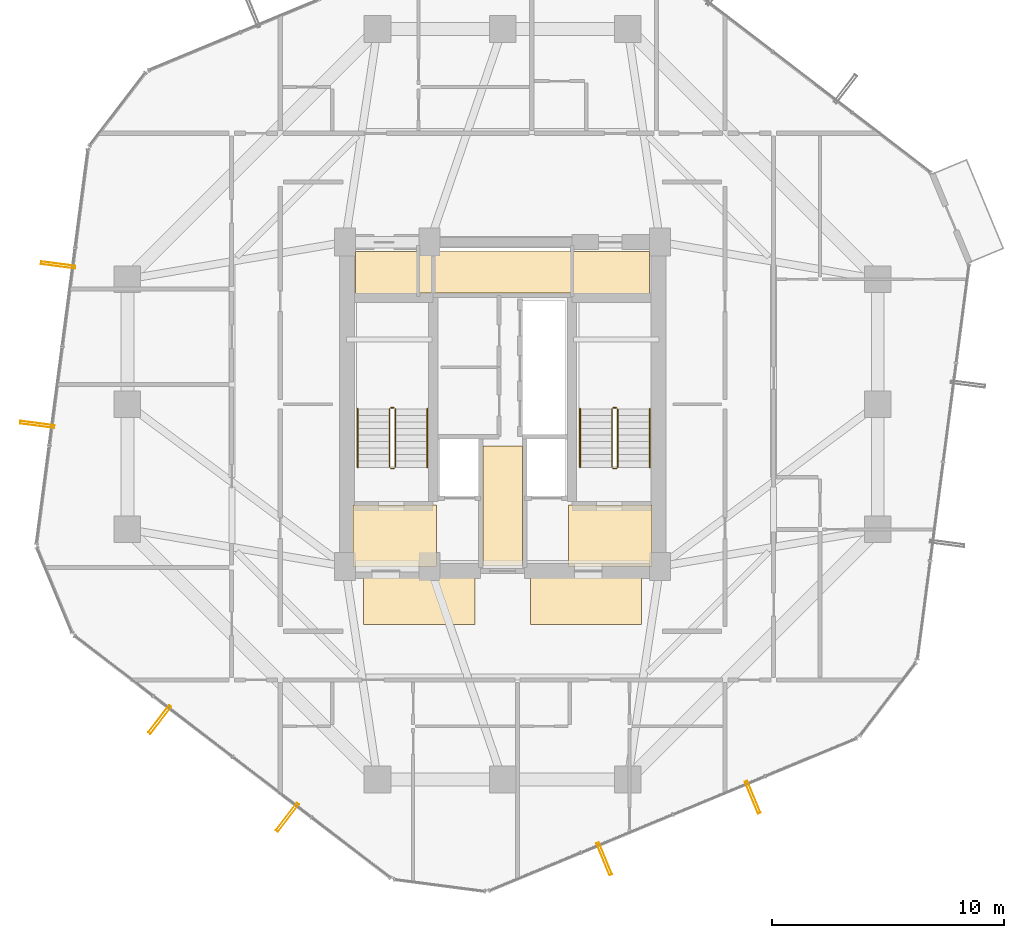
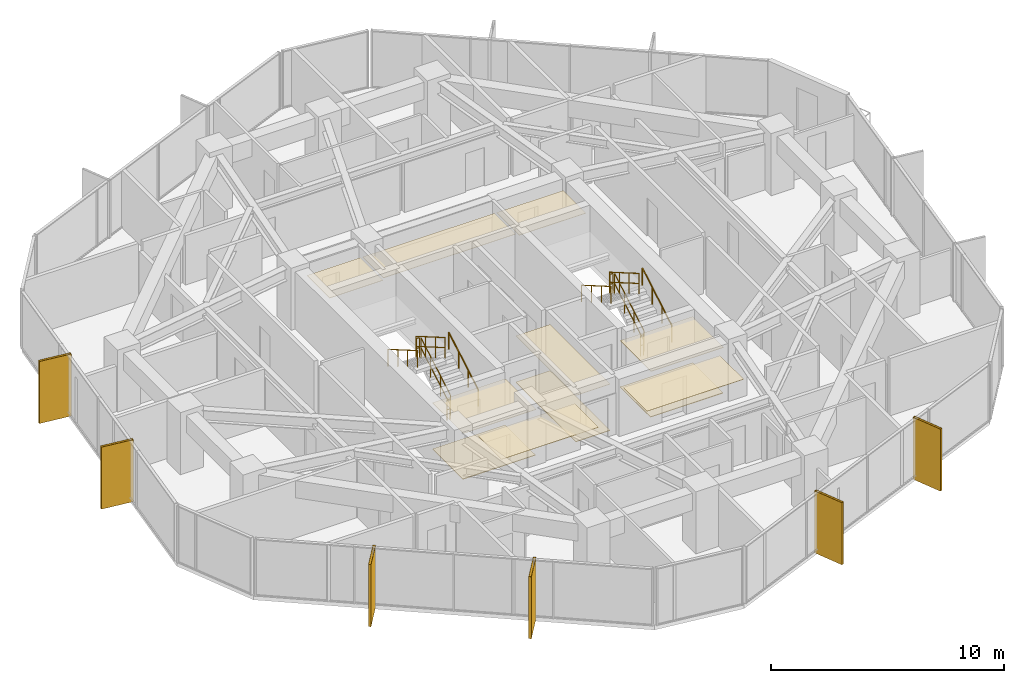
# One storey, part 29 of 30: 12 railings, 11 coverings, 6 shading devices.
"""IFC4 building model written with IfcOpenShell, lengths in metres."""

from ifc_helpers import new_model, si_unit, direction, frame, origin, origin_2d, place, context, subcontext, project, spatial, polyline, hollow_rectangle, circle, outline, extrude, material, layer, layer_set, material_profile, profile_set, type_object, element, save


model = new_model("IFC4")

# Units and contexts
model_context = context("Model", 3, precision=1e-05, world=origin(), true_north=direction((0.0, 1.0)))
body_context = subcontext(model_context, "Body", "Model", "MODEL_VIEW")
ifc_project = project(units=[si_unit("LENGTHUNIT", "METRE"), si_unit("AREAUNIT", "SQUARE_METRE"), si_unit("VOLUMEUNIT", "CUBIC_METRE"), si_unit("PLANEANGLEUNIT", "RADIAN"), si_unit("MASSUNIT", "GRAM", prefix="KILO")], contexts=[model_context])

# Site, building, storey
site_placement = place(None, origin())
site = spatial("IfcSite", under=ifc_project, at=site_placement, CompositionType="ELEMENT")
building_placement = place(site_placement, origin())
building = spatial("IfcBuilding", under=site, at=building_placement, Name="Veraguas Prism Commons", CompositionType="ELEMENT")
storey_placement = place(building_placement, frame((0.0, 0.0, 102.449951171875)))
storey = spatial("IfcBuildingStorey", under=building, at=storey_placement, Name="L28", CompositionType="ELEMENT", Elevation=102.449951171875)

# Shading devices
ifc_material_1 = material(Name="Anodised aluminium EN AW-6063 T6", Category="aluminium")
ifc_material_profile = material_profile(ifc_material_1, hollow_rectangle(XDim=0.1201171875, YDim=1.489990234375, WallThickness=0.006103515625, at=origin_2d()), Name="FIN120X1490X6")
ifc_profile_set = profile_set([ifc_material_profile], Name="Anodised aluminium EN AW-6063 T6")
shading_device_type = type_object("IfcShadingDeviceType", Name="Deep Pale-Metal Vertical Solar Fin 120x1490", PredefinedType="USERDEFINED", material=ifc_profile_set)
for number, where, z_axis, x_axis, name in (
    (1, (4.810791015625, 30.01318359375, -0.22998046875), (0.0, 0.0, 1.0), (-0.129834001381, -0.99153574423, 0.0), "Vertical Pale-Metal Solar Fin L28-F3A"),
    (2, (3.90966796875, 23.130126953125, -0.22998046875), (0.0, 0.0, 1.0), (-0.129834001381, -0.99153574423, 0.0), "Vertical Pale-Metal Solar Fin L28-F3B"),
    (3, (9.19775390625, 10.38818359375, -0.22998046875), (0.0, 0.0, 1.0), (0.793776019524, -0.60821018639, 0.0), "Vertical Pale-Metal Solar Fin L28-F4A"),
    (4, (14.7080078125, 6.166259765625, -0.22998046875), (0.0, 0.0, 1.0), (0.793776019524, -0.60821018639, 0.0), "Vertical Pale-Metal Solar Fin L28-F4B"),
    (5, (28.386962890625, 4.375, -0.22998046875), (0.0, 0.0, 1.0), (0.92361080588, 0.383331552657, 0.0), "Vertical Pale-Metal Solar Fin L28-F5A"),
    (6, (34.798583984375, 7.0361328125, -0.22998046875), (0.0, 0.0, 1.0), (0.92361080588, 0.383331552657, 0.0), "Vertical Pale-Metal Solar Fin L28-F5B"),
):
    element("IfcShadingDevice", number, at=place(storey_placement, frame(where, z_axis=z_axis, x_axis=x_axis)), inside=storey, type_object=shading_device_type, Name=name, ObjectType="FIN", PredefinedType="USERDEFINED", context=body_context, shape_type="SweptSolid", body=[
        extrude(hollow_rectangle(XDim=0.1201171875, YDim=1.489990234375, WallThickness=0.006103515625, at=origin_2d()), origin(), (0.0, 0.0, 1.0), 3.25),
    ])

# Coverings
ifc_material_2 = material(Name="Acoustic gypsum board")
ifc_layer_1 = layer(ifc_material_2, 0.02490234375, Name="Perforated Acoustic Ceiling Tile 25")
ifc_layer_set_1 = layer_set([ifc_layer_1], Name="Acoustic gypsum board")
covering_type_1 = type_object("IfcCoveringType", Name="Perforated Acoustic Ceiling Tile 25", PredefinedType="USERDEFINED", material=ifc_layer_set_1)
covering_1_placement = place(storey_placement, frame((0.0, 0.0, 2.425048828125)))
element("IfcCovering", 7, at=covering_1_placement, inside=storey, type_object=covering_type_1, Name="East Lobby Acoustic Ceiling L28", ObjectType="ACOUSTIC CEILING", PredefinedType="USERDEFINED", context=body_context, shape_type="SweptSolid", body=[
    extrude(outline(polyline([(26.85009765625, 17.0), (30.449951171875, 17.0), (30.449951171875, 19.64990234375), (26.85009765625, 19.64990234375), (26.85009765625, 17.0)])), origin(), (0.0, 0.0, 1.0), 0.02490234375),
])
ifc_material_3 = material(Name="Terrazzo stone finish", Category="masonry")
ifc_layer_2 = layer(ifc_material_3, 0.030029296875, Name="Polished Terrazzo Floor Finish 30", Category="masonry")
ifc_layer_set_2 = layer_set([ifc_layer_2], Name="Terrazzo stone finish")
covering_type_2 = type_object("IfcCoveringType", Name="Polished Terrazzo Floor Finish 30", PredefinedType="FLOORING", material=ifc_layer_set_2)
covering_2_placement = place(storey_placement, origin())
element("IfcCovering", 8, at=covering_2_placement, inside=storey, type_object=covering_type_2, Name="Terrazzo Lobby Flooring L28", PredefinedType="FLOORING", context=body_context, shape_type="SweptSolid", body=[
    extrude(outline(polyline([(23.14990234375, 17.050048828125), (24.85009765625, 17.050048828125), (24.85009765625, 22.199951171875), (23.14990234375, 22.199951171875), (23.14990234375, 17.050048828125)])), origin(), (0.0, 0.0, 1.0), 0.030029296875),
])
covering_3_placement = place(storey_placement, origin())
element("IfcCovering", 9, at=covering_3_placement, inside=storey, type_object=covering_type_2, Name="West FF Lobby Terrazzo Flooring L28", PredefinedType="FLOORING", context=body_context, shape_type="SweptSolid", body=[
    extrude(outline(polyline([(17.550048828125, 17.050048828125), (21.14990234375, 17.050048828125), (21.14990234375, 19.64990234375), (17.550048828125, 19.64990234375), (17.550048828125, 17.050048828125)])), origin(), (0.0, 0.0, 1.0), 0.030029296875),
])
covering_4_placement = place(storey_placement, origin())
element("IfcCovering", 10, at=covering_4_placement, inside=storey, type_object=covering_type_2, Name="East FF Lobby Terrazzo Flooring L28", PredefinedType="FLOORING", context=body_context, shape_type="SweptSolid", body=[
    extrude(outline(polyline([(26.85009765625, 17.050048828125), (30.449951171875, 17.050048828125), (30.449951171875, 19.64990234375), (26.85009765625, 19.64990234375), (26.85009765625, 17.050048828125)])), origin(), (0.0, 0.0, 1.0), 0.030029296875),
])

# Railings
ifc_material_4 = material(Name="Stainless steel AISI 316", Category="steel")
railing_type_1 = type_object("IfcRailingType", Name="Stair and Ramp Stainless Handrail 900", PredefinedType="HANDRAIL", material=ifc_material_4)
railing_1_placement = place(storey_placement, frame((20.75, 21.280029296875, 0.16259765625)))
element("IfcRailing", 11, at=railing_1_placement, inside=storey, type_object=railing_type_1, Name="Stair Handrail ST-01 L28-1", PredefinedType="HANDRAIL", context=body_context, shape_type="SweptSolid", body=[
    extrude(circle(Radius=0.02392578125, at=origin_2d()), frame((0.0, 0.0, 0.8759765625), z_axis=(0.0, 0.864913338283, 0.50192122615), x_axis=(-1.0, 0.0, 0.0)), (0.0, 0.0, 1.0), 2.91357421875),
    extrude(circle(Radius=0.02099609375, at=origin_2d()), origin(), (0.0, 0.0, 1.0), 0.851806640625),
    extrude(circle(Radius=0.02099609375, at=origin_2d()), frame((0.0, 0.840087890625, 0.487548828125)), (0.0, 0.0, 1.0), 0.851806640625),
    extrude(circle(Radius=0.02099609375, at=origin_2d()), frame((0.0, 1.679931640625, 0.974853515625)), (0.0, 0.0, 1.0), 0.851806640625),
    extrude(circle(Radius=0.02099609375, at=origin_2d()), frame((0.0, 2.52001953125, 1.46240234375)), (0.0, 0.0, 1.0), 0.851806640625),
])
railing_2_placement = place(storey_placement, frame((17.739990234375, 23.800048828125, 1.78759765625)))
element("IfcRailing", 12, at=railing_2_placement, inside=storey, type_object=railing_type_1, Name="Stair Handrail ST-01 L28-2", PredefinedType="HANDRAIL", context=body_context, shape_type="SweptSolid", body=[
    extrude(circle(Radius=0.02392578125, at=origin_2d()), frame((0.0, 0.0, 0.8759765625), z_axis=(0.0, -0.864913338283, 0.50192122615), x_axis=(1.0, 0.0, 0.0)), (0.0, 0.0, 1.0), 2.91357421875),
    extrude(circle(Radius=0.02099609375, at=origin_2d()), origin(), (0.0, 0.0, 1.0), 0.851806640625),
    extrude(circle(Radius=0.02099609375, at=origin_2d()), frame((0.0, -0.840087890625, 0.487548828125)), (0.0, 0.0, 1.0), 0.851806640625),
    extrude(circle(Radius=0.02099609375, at=origin_2d()), frame((0.0, -1.679931640625, 0.974853515625)), (0.0, 0.0, 1.0), 0.851806640625),
    extrude(circle(Radius=0.02099609375, at=origin_2d()), frame((0.0, -2.52001953125, 1.46240234375)), (0.0, 0.0, 1.0), 0.851806640625),
])
railing_3_placement = place(storey_placement, frame((30.35009765625, 21.280029296875, 0.16259765625)))
element("IfcRailing", 13, at=railing_3_placement, inside=storey, type_object=railing_type_1, Name="Stair Handrail ST-02 L28-1", PredefinedType="HANDRAIL", context=body_context, shape_type="SweptSolid", body=[
    extrude(circle(Radius=0.02392578125, at=origin_2d()), frame((0.0, 0.0, 0.8759765625), z_axis=(0.0, 0.864913338283, 0.50192122615), x_axis=(-1.0, 0.0, 0.0)), (0.0, 0.0, 1.0), 2.91357421875),
    extrude(circle(Radius=0.02099609375, at=origin_2d()), origin(), (0.0, 0.0, 1.0), 0.851806640625),
    extrude(circle(Radius=0.02099609375, at=origin_2d()), frame((0.0, 0.840087890625, 0.487548828125)), (0.0, 0.0, 1.0), 0.851806640625),
    extrude(circle(Radius=0.02099609375, at=origin_2d()), frame((0.0, 1.679931640625, 0.974853515625)), (0.0, 0.0, 1.0), 0.851806640625),
    extrude(circle(Radius=0.02099609375, at=origin_2d()), frame((0.0, 2.52001953125, 1.46240234375)), (0.0, 0.0, 1.0), 0.851806640625),
])
railing_4_placement = place(storey_placement, frame((27.340087890625, 23.800048828125, 1.78759765625)))
element("IfcRailing", 14, at=railing_4_placement, inside=storey, type_object=railing_type_1, Name="Stair Handrail ST-02 L28-2", PredefinedType="HANDRAIL", context=body_context, shape_type="SweptSolid", body=[
    extrude(circle(Radius=0.02392578125, at=origin_2d()), frame((0.0, 0.0, 0.8759765625), z_axis=(0.0, -0.864913338283, 0.50192122615), x_axis=(1.0, 0.0, 0.0)), (0.0, 0.0, 1.0), 2.91357421875),
    extrude(circle(Radius=0.02099609375, at=origin_2d()), origin(), (0.0, 0.0, 1.0), 0.851806640625),
    extrude(circle(Radius=0.02099609375, at=origin_2d()), frame((0.0, -0.840087890625, 0.487548828125)), (0.0, 0.0, 1.0), 0.851806640625),
    extrude(circle(Radius=0.02099609375, at=origin_2d()), frame((0.0, -1.679931640625, 0.974853515625)), (0.0, 0.0, 1.0), 0.851806640625),
    extrude(circle(Radius=0.02099609375, at=origin_2d()), frame((0.0, -2.52001953125, 1.46240234375)), (0.0, 0.0, 1.0), 0.851806640625),
])
railing_type_2 = type_object("IfcRailingType", Name="Stairwell Safety Guardrail 1100", PredefinedType="GUARDRAIL", material=ifc_material_4)
railing_5_placement = place(storey_placement, frame((19.3701171875, 21.280029296875, 0.16259765625)))
element("IfcRailing", 15, at=railing_5_placement, inside=storey, type_object=railing_type_2, Name="Stair Guard ST-01 L28-1", PredefinedType="GUARDRAIL", context=body_context, shape_type="SweptSolid", body=[
    extrude(circle(Radius=0.02392578125, at=origin_2d()), frame((0.0, 0.0, 1.076171875), z_axis=(0.0, 0.864913338283, 0.50192122615), x_axis=(-1.0, 0.0, 0.0)), (0.0, 0.0, 1.0), 2.91357421875),
    extrude(circle(Radius=0.02392578125, at=origin_2d()), frame((0.0, 0.0, 0.550048828125), z_axis=(0.0, 0.864913338283, 0.50192122615), x_axis=(-1.0, 0.0, 0.0)), (0.0, 0.0, 1.0), 2.91357421875),
    extrude(circle(Radius=0.02099609375, at=origin_2d()), origin(), (0.0, 0.0, 1.0), 1.052001953125),
    extrude(circle(Radius=0.02099609375, at=origin_2d()), frame((0.0, 0.840087890625, 0.487548828125)), (0.0, 0.0, 1.0), 1.052001953125),
    extrude(circle(Radius=0.02099609375, at=origin_2d()), frame((0.0, 1.679931640625, 0.974853515625)), (0.0, 0.0, 1.0), 1.052001953125),
    extrude(circle(Radius=0.02099609375, at=origin_2d()), frame((0.0, 2.52001953125, 1.46240234375)), (0.0, 0.0, 1.0), 1.052001953125),
])
railing_6_placement = place(storey_placement, frame((19.320068359375, 23.85009765625, 1.625)))
element("IfcRailing", 16, at=railing_6_placement, inside=storey, type_object=railing_type_2, Name="Stair Guard ST-01 L28-2", PredefinedType="GUARDRAIL", context=body_context, shape_type="SweptSolid", body=[
    extrude(circle(Radius=0.02392578125, at=origin_2d()), frame((0.0, 0.0, 1.076171875), z_axis=(-1.0, 0.0, 0.0), x_axis=(0.0, -1.0, 0.0)), (0.0, 0.0, 1.0), 0.150146484375),
    extrude(circle(Radius=0.02392578125, at=origin_2d()), frame((0.0, 0.0, 0.550048828125), z_axis=(-1.0, 0.0, 0.0), x_axis=(0.0, -1.0, 0.0)), (0.0, 0.0, 1.0), 0.150146484375),
    extrude(circle(Radius=0.02099609375, at=origin_2d()), origin(), (0.0, 0.0, 1.0), 1.052001953125),
    extrude(circle(Radius=0.02099609375, at=origin_2d()), frame((-0.150146484375, 0.0, 0.0)), (0.0, 0.0, 1.0), 1.052001953125),
])
railing_7_placement = place(storey_placement, frame((19.1201171875, 23.800048828125, 1.78759765625)))
element("IfcRailing", 17, at=railing_7_placement, inside=storey, type_object=railing_type_2, Name="Stair Guard ST-01 L28-3", PredefinedType="GUARDRAIL", context=body_context, shape_type="SweptSolid", body=[
    extrude(circle(Radius=0.02392578125, at=origin_2d()), frame((0.0, 0.0, 1.076171875), z_axis=(0.0, -0.864913338283, 0.50192122615), x_axis=(1.0, 0.0, 0.0)), (0.0, 0.0, 1.0), 2.91357421875),
    extrude(circle(Radius=0.02392578125, at=origin_2d()), frame((0.0, 0.0, 0.550048828125), z_axis=(0.0, -0.864913338283, 0.50192122615), x_axis=(1.0, 0.0, 0.0)), (0.0, 0.0, 1.0), 2.91357421875),
    extrude(circle(Radius=0.02099609375, at=origin_2d()), origin(), (0.0, 0.0, 1.0), 1.052001953125),
    extrude(circle(Radius=0.02099609375, at=origin_2d()), frame((0.0, -0.840087890625, 0.487548828125)), (0.0, 0.0, 1.0), 1.052001953125),
    extrude(circle(Radius=0.02099609375, at=origin_2d()), frame((0.0, -1.679931640625, 0.974853515625)), (0.0, 0.0, 1.0), 1.052001953125),
    extrude(circle(Radius=0.02099609375, at=origin_2d()), frame((0.0, -2.52001953125, 1.46240234375)), (0.0, 0.0, 1.0), 1.052001953125),
])
railing_8_placement = place(storey_placement, frame((19.320068359375, 21.22998046875, 0.0)))
element("IfcRailing", 18, at=railing_8_placement, inside=storey, type_object=railing_type_2, Name="Stair Guard ST-01 L28-4", PredefinedType="GUARDRAIL", context=body_context, shape_type="SweptSolid", body=[
    extrude(circle(Radius=0.02392578125, at=origin_2d()), frame((0.0, 0.0, 1.076171875), z_axis=(-1.0, 0.0, 0.0), x_axis=(0.0, -1.0, 0.0)), (0.0, 0.0, 1.0), 0.150146484375),
    extrude(circle(Radius=0.02392578125, at=origin_2d()), frame((0.0, 0.0, 0.550048828125), z_axis=(-1.0, 0.0, 0.0), x_axis=(0.0, -1.0, 0.0)), (0.0, 0.0, 1.0), 0.150146484375),
    extrude(circle(Radius=0.02099609375, at=origin_2d()), origin(), (0.0, 0.0, 1.0), 1.052001953125),
    extrude(circle(Radius=0.02099609375, at=origin_2d()), frame((-0.150146484375, 0.0, 0.0)), (0.0, 0.0, 1.0), 1.052001953125),
])
railing_9_placement = place(storey_placement, frame((28.969970703125, 21.280029296875, 0.16259765625)))
element("IfcRailing", 19, at=railing_9_placement, inside=storey, type_object=railing_type_2, Name="Stair Guard ST-02 L28-1", PredefinedType="GUARDRAIL", context=body_context, shape_type="SweptSolid", body=[
    extrude(circle(Radius=0.02392578125, at=origin_2d()), frame((0.0, 0.0, 1.076171875), z_axis=(0.0, 0.864913338283, 0.50192122615), x_axis=(-1.0, 0.0, 0.0)), (0.0, 0.0, 1.0), 2.91357421875),
    extrude(circle(Radius=0.02392578125, at=origin_2d()), frame((0.0, 0.0, 0.550048828125), z_axis=(0.0, 0.864913338283, 0.50192122615), x_axis=(-1.0, 0.0, 0.0)), (0.0, 0.0, 1.0), 2.91357421875),
    extrude(circle(Radius=0.02099609375, at=origin_2d()), origin(), (0.0, 0.0, 1.0), 1.052001953125),
    extrude(circle(Radius=0.02099609375, at=origin_2d()), frame((0.0, 0.840087890625, 0.487548828125)), (0.0, 0.0, 1.0), 1.052001953125),
    extrude(circle(Radius=0.02099609375, at=origin_2d()), frame((0.0, 1.679931640625, 0.974853515625)), (0.0, 0.0, 1.0), 1.052001953125),
    extrude(circle(Radius=0.02099609375, at=origin_2d()), frame((0.0, 2.52001953125, 1.46240234375)), (0.0, 0.0, 1.0), 1.052001953125),
])
railing_10_placement = place(storey_placement, frame((28.919921875, 23.85009765625, 1.625)))
element("IfcRailing", 20, at=railing_10_placement, inside=storey, type_object=railing_type_2, Name="Stair Guard ST-02 L28-2", PredefinedType="GUARDRAIL", context=body_context, shape_type="SweptSolid", body=[
    extrude(circle(Radius=0.02392578125, at=origin_2d()), frame((0.0, 0.0, 1.076171875), z_axis=(-1.0, 0.0, 0.0), x_axis=(0.0, -1.0, 0.0)), (0.0, 0.0, 1.0), 0.14990234375),
    extrude(circle(Radius=0.02392578125, at=origin_2d()), frame((0.0, 0.0, 0.550048828125), z_axis=(-1.0, 0.0, 0.0), x_axis=(0.0, -1.0, 0.0)), (0.0, 0.0, 1.0), 0.14990234375),
    extrude(circle(Radius=0.02099609375, at=origin_2d()), origin(), (0.0, 0.0, 1.0), 1.052001953125),
    extrude(circle(Radius=0.02099609375, at=origin_2d()), frame((-0.14990234375, 0.0, 0.0)), (0.0, 0.0, 1.0), 1.052001953125),
])
railing_11_placement = place(storey_placement, frame((28.719970703125, 23.800048828125, 1.78759765625)))
element("IfcRailing", 21, at=railing_11_placement, inside=storey, type_object=railing_type_2, Name="Stair Guard ST-02 L28-3", PredefinedType="GUARDRAIL", context=body_context, shape_type="SweptSolid", body=[
    extrude(circle(Radius=0.02392578125, at=origin_2d()), frame((0.0, 0.0, 1.076171875), z_axis=(0.0, -0.864913338283, 0.50192122615), x_axis=(1.0, 0.0, 0.0)), (0.0, 0.0, 1.0), 2.91357421875),
    extrude(circle(Radius=0.02392578125, at=origin_2d()), frame((0.0, 0.0, 0.550048828125), z_axis=(0.0, -0.864913338283, 0.50192122615), x_axis=(1.0, 0.0, 0.0)), (0.0, 0.0, 1.0), 2.91357421875),
    extrude(circle(Radius=0.02099609375, at=origin_2d()), origin(), (0.0, 0.0, 1.0), 1.052001953125),
    extrude(circle(Radius=0.02099609375, at=origin_2d()), frame((0.0, -0.840087890625, 0.487548828125)), (0.0, 0.0, 1.0), 1.052001953125),
    extrude(circle(Radius=0.02099609375, at=origin_2d()), frame((0.0, -1.679931640625, 0.974853515625)), (0.0, 0.0, 1.0), 1.052001953125),
    extrude(circle(Radius=0.02099609375, at=origin_2d()), frame((0.0, -2.52001953125, 1.46240234375)), (0.0, 0.0, 1.0), 1.052001953125),
])
railing_12_placement = place(storey_placement, frame((28.919921875, 21.22998046875, 0.0)))
element("IfcRailing", 22, at=railing_12_placement, inside=storey, type_object=railing_type_2, Name="Stair Guard ST-02 L28-4", PredefinedType="GUARDRAIL", context=body_context, shape_type="SweptSolid", body=[
    extrude(circle(Radius=0.02392578125, at=origin_2d()), frame((0.0, 0.0, 1.076171875), z_axis=(-1.0, 0.0, 0.0), x_axis=(0.0, -1.0, 0.0)), (0.0, 0.0, 1.0), 0.14990234375),
    extrude(circle(Radius=0.02392578125, at=origin_2d()), frame((0.0, 0.0, 0.550048828125), z_axis=(-1.0, 0.0, 0.0), x_axis=(0.0, -1.0, 0.0)), (0.0, 0.0, 1.0), 0.14990234375),
    extrude(circle(Radius=0.02099609375, at=origin_2d()), origin(), (0.0, 0.0, 1.0), 1.052001953125),
    extrude(circle(Radius=0.02099609375, at=origin_2d()), frame((-0.14990234375, 0.0, 0.0)), (0.0, 0.0, 1.0), 1.052001953125),
])

# Coverings
ifc_layer_3 = layer(ifc_material_2, 0.02001953125, Name="Suspended Gypsum Ceiling 20")
ifc_layer_set_3 = layer_set([ifc_layer_3], Name="Acoustic gypsum board")
covering_type_3 = type_object("IfcCoveringType", Name="Suspended Gypsum Ceiling 20", PredefinedType="CEILING", material=ifc_layer_set_3)
covering_5_placement = place(storey_placement, frame((0.0, 0.0, 2.429931640625)))
element("IfcCovering", 23, at=covering_5_placement, inside=storey, type_object=covering_type_3, Name="West Lobby Suspended Gypsum Ceiling L28", PredefinedType="CEILING", context=body_context, shape_type="SweptSolid", body=[
    extrude(outline(polyline([(17.550048828125, 17.0), (21.14990234375, 17.0), (21.14990234375, 19.64990234375), (17.550048828125, 19.64990234375), (17.550048828125, 17.0)])), origin(), (0.0, 0.0, 1.0), 0.02001953125),
])
covering_6_placement = place(storey_placement, frame((0.0, 0.0, 2.429931640625)))
element("IfcCovering", 24, at=covering_6_placement, inside=storey, type_object=covering_type_3, Name="Core Lobby Acoustic Ceiling L28-1", PredefinedType="CEILING", context=body_context, shape_type="SweptSolid", body=[
    extrude(outline(polyline([(18.0, 14.5), (22.800048828125, 14.5), (22.800048828125, 16.550048828125), (18.0, 16.550048828125), (18.0, 14.5)])), origin(), (0.0, 0.0, 1.0), 0.02001953125),
])
covering_7_placement = place(storey_placement, frame((0.0, 0.0, 2.429931640625)))
element("IfcCovering", 25, at=covering_7_placement, inside=storey, type_object=covering_type_3, Name="Core Lobby Acoustic Ceiling L28-2", PredefinedType="CEILING", context=body_context, shape_type="SweptSolid", body=[
    extrude(outline(polyline([(25.199951171875, 14.5), (30.0, 14.5), (30.0, 16.550048828125), (25.199951171875, 16.550048828125), (25.199951171875, 14.5)])), origin(), (0.0, 0.0, 1.0), 0.02001953125),
])
covering_8_placement = place(storey_placement, frame((0.0, 0.0, 2.429931640625)))
element("IfcCovering", 26, at=covering_8_placement, inside=storey, type_object=covering_type_3, Name="Core Lobby Acoustic Ceiling L28-3", PredefinedType="CEILING", context=body_context, shape_type="SweptSolid", body=[
    extrude(outline(polyline([(23.14990234375, 17.050048828125), (24.85009765625, 17.050048828125), (24.85009765625, 22.199951171875), (23.14990234375, 22.199951171875), (23.14990234375, 17.050048828125)])), origin(), (0.0, 0.0, 1.0), 0.02001953125),
])
covering_9_placement = place(storey_placement, frame((0.0, 0.0, 2.429931640625)))
element("IfcCovering", 27, at=covering_9_placement, inside=storey, type_object=covering_type_3, Name="Core Lobby Acoustic Ceiling L28-4", PredefinedType="CEILING", context=body_context, shape_type="SweptSolid", body=[
    extrude(outline(polyline([(17.64990234375, 28.64990234375), (20.300048828125, 28.64990234375), (20.300048828125, 30.60009765625), (17.64990234375, 30.60009765625), (17.64990234375, 28.64990234375)])), origin(), (0.0, 0.0, 1.0), 0.02001953125),
])
covering_10_placement = place(storey_placement, frame((0.0, 0.0, 2.429931640625)))
element("IfcCovering", 28, at=covering_10_placement, inside=storey, type_object=covering_type_3, Name="Core Lobby Acoustic Ceiling L28-5", PredefinedType="CEILING", context=body_context, shape_type="SweptSolid", body=[
    extrude(outline(polyline([(27.050048828125, 28.64990234375), (30.35009765625, 28.64990234375), (30.35009765625, 30.60009765625), (27.050048828125, 30.60009765625), (27.050048828125, 28.64990234375)])), origin(), (0.0, 0.0, 1.0), 0.02001953125),
])
covering_11_placement = place(storey_placement, frame((0.0, 0.0, 2.429931640625)))
element("IfcCovering", 29, at=covering_11_placement, inside=storey, type_object=covering_type_3, Name="Core Lobby Acoustic Ceiling L28-6", PredefinedType="CEILING", context=body_context, shape_type="SweptSolid", body=[
    extrude(outline(polyline([(20.39990234375, 28.800048828125), (26.949951171875, 28.800048828125), (26.949951171875, 30.60009765625), (20.39990234375, 30.60009765625), (20.39990234375, 28.800048828125)])), origin(), (0.0, 0.0, 1.0), 0.02001953125),
])

save(model, "model.ifc")
